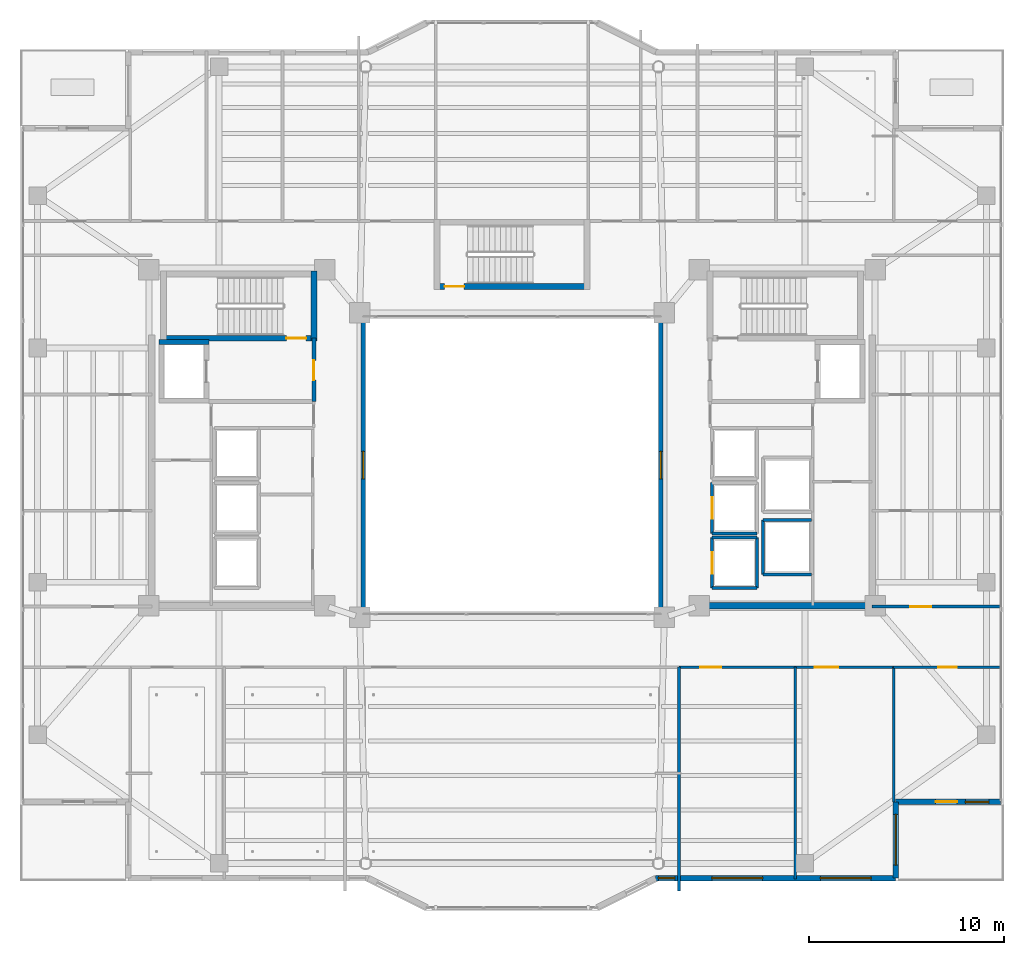
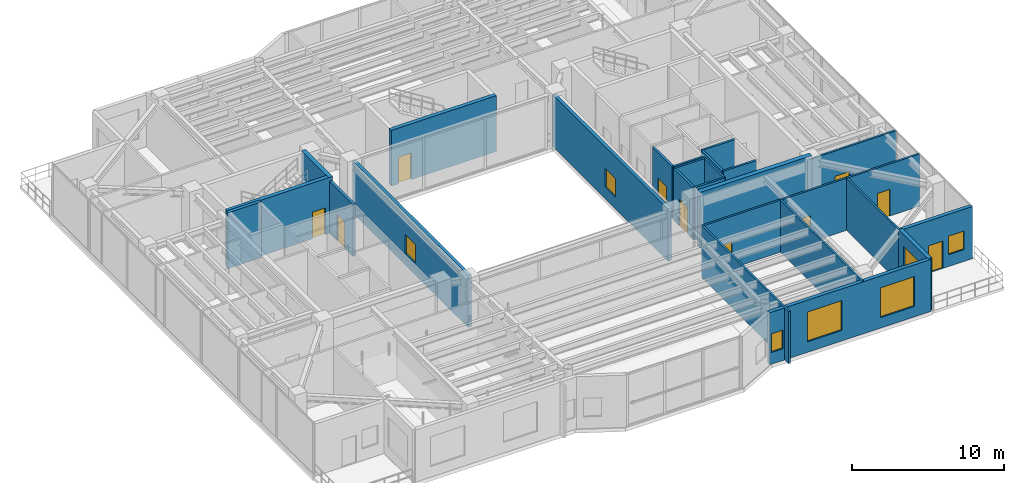
# One storey, part 24 of 33: 26 walls, 10 doors, 7 windows, 17 openings.
"""IFC4 building model written with IfcOpenShell, lengths in metres."""

from ifc_helpers import new_model, si_unit, direction, frame, frame_2d, origin, place, context, subcontext, project, spatial, rectangle, extrude, material, layer, layer_set, type_object, element, fill, save


model = new_model("IFC4")

# Units and contexts
model_context = context("Model", 3, precision=1e-05, world=origin(), true_north=direction((0.0, 1.0)))
body_context = subcontext(model_context, "Body", "Model", "MODEL_VIEW")
ifc_project = project(units=[si_unit("LENGTHUNIT", "METRE"), si_unit("AREAUNIT", "SQUARE_METRE"), si_unit("VOLUMEUNIT", "CUBIC_METRE"), si_unit("PLANEANGLEUNIT", "RADIAN"), si_unit("MASSUNIT", "GRAM", prefix="KILO")], contexts=[model_context])

# Site, building, storey
site_placement = place(None, origin())
site = spatial("IfcSite", under=ifc_project, at=site_placement, CompositionType="ELEMENT")
building_placement = place(site_placement, origin())
building = spatial("IfcBuilding", under=site, at=building_placement, Name="Tarnavaz Court Tower", CompositionType="ELEMENT")
storey_placement = place(building_placement, frame((0.0, 0.0, 172.800048828125)))
storey = spatial("IfcBuildingStorey", under=building, at=storey_placement, Name="L47", CompositionType="ELEMENT", Elevation=172.800048828125)

# Wall
ifc_material_1 = material(Name="Concrete C50/60", Category="concrete")
ifc_layer_1 = layer(ifc_material_1, 0.25)
ifc_layer_set_1 = layer_set([ifc_layer_1], Name="Concrete C50/60")
wall_type_1 = type_object("IfcWallType", Name="WL-CORE-250-C50", PredefinedType="SHEAR", material=ifc_layer_set_1)
wall_1_placement = place(storey_placement, frame((-18.074951171875, 6.300048828125, 0.0), z_axis=(0.0, 0.0, 1.0), x_axis=(1.0, 0.0, 0.0)))
element("IfcWall", 1, at=wall_1_placement, inside=storey, type_object=wall_type_1, Name="L47 Lift FL-W1 Shaft Wall 020", PredefinedType="SHEAR", context=body_context, shape_type="SweptSolid", body=[
    extrude(rectangle(XDim=2.550048828125, YDim=0.25, at=frame_2d((1.27490234375, 0.0))), origin(), (0.0, 0.0, 1.0), 4.5),
])

# Wall, opening, door
ifc_layer_2 = layer(ifc_material_1, 0.300048828125)
ifc_layer_set_2 = layer_set([ifc_layer_2], Name="Concrete C50/60")
wall_type_2 = type_object("IfcWallType", Name="WL-CORE-300-C50", PredefinedType="SHEAR", material=ifc_layer_set_2)
wall_2_placement = place(storey_placement, frame((-18.0, 6.5, 0.0), z_axis=(0.0, 0.0, 1.0), x_axis=(1.0, 0.0, 0.0)))
wall_2 = element("IfcWall", 2, at=wall_2_placement, inside=storey, type_object=wall_type_2, Name="L47 West Stair Core Wall 002", PredefinedType="SHEAR", context=body_context, shape_type="SweptSolid", body=[
    extrude(rectangle(XDim=8.0, YDim=0.300048828125, at=frame_2d((4.0, 0.0))), origin(), (0.0, 0.0, 1.0), 4.5),
])
opening_1_placement = place(wall_2_placement, frame((6.449951171875, 0.0, 0.0)))
opening_1 = element("IfcOpeningElement", 3, at=opening_1_placement, cuts=wall_2, Name="Opening D01", PredefinedType="OPENING", context=body_context, shape_type="SweptSolid", body=[
    extrude(rectangle(XDim=1.0, YDim=2.14990234375, at=frame_2d((0.5, 1.074951171875))), frame((0.0, 0.159912109375, 0.0), z_axis=(0.0, -1.0, 0.0), x_axis=(1.0, 0.0, 0.0)), (0.0, 0.0, 1.0), 0.320068359375),
])
ifc_material_2 = material(Name="Fire-Rated Hardwood Timber Core", Category="wood")
door_type_1 = type_object("IfcDoorType", Name="DR-FD90-1000", OperationType="NOTDEFINED", PredefinedType="DOOR", material=ifc_material_2)
door_1_placement = place(opening_1_placement, origin())
door_1 = element("IfcDoor", 4, at=door_1_placement, inside=storey, type_object=door_type_1, Name="L47 Stair ST-W1 Exit Door", OperationType="SINGLE_SWING_LEFT", OverallHeight=2.14990234375, OverallWidth=1.0, PredefinedType="DOOR", context=body_context, shape_type="SweptSolid", body=[
    extrude(rectangle(XDim=1.0, YDim=2.14990234375, at=frame_2d((0.5, 1.074951171875))), frame((0.0, 0.02490234375, 0.0), z_axis=(0.0, -1.0, 0.0), x_axis=(1.0, 0.0, 0.0)), (0.0, 0.0, 1.0), 0.050048828125),
])
fill(opening_1, door_1)

# Wall
wall_3_placement = place(storey_placement, frame((-10.14990234375, 6.35009765625, 0.0), z_axis=(0.0, 0.0, 1.0), x_axis=(0.0, 1.0, 0.0)))
element("IfcWall", 5, at=wall_3_placement, inside=storey, type_object=wall_type_2, Name="L47 West Stair Core Wall 004", PredefinedType="SHEAR", context=body_context, shape_type="SweptSolid", body=[
    extrude(rectangle(XDim=3.58984375, YDim=0.300048828125, at=frame_2d((1.794921875, 0.0))), origin(), (0.0, 0.0, 1.0), 4.5),
])

# Wall, opening, door
wall_4_placement = place(storey_placement, frame((-4.0, 9.14990234375, 0.0), z_axis=(0.0, 0.0, 1.0), x_axis=(1.0, 0.0, 0.0)))
wall_4 = element("IfcWall", 6, at=wall_4_placement, inside=storey, type_object=wall_type_2, Name="L47 North Stair Core Wall 010", PredefinedType="SHEAR", context=body_context, shape_type="SweptSolid", body=[
    extrude(rectangle(XDim=8.0, YDim=0.300048828125, at=frame_2d((4.0, 0.0))), origin(), (0.0, 0.0, 1.0), 4.5),
])
opening_2_placement = place(wall_4_placement, frame((0.550048828125, 0.0, 0.0)))
opening_2 = element("IfcOpeningElement", 7, at=opening_2_placement, cuts=wall_4, Name="Opening D01", PredefinedType="OPENING", context=body_context, shape_type="SweptSolid", body=[
    extrude(rectangle(XDim=1.0, YDim=2.14990234375, at=frame_2d((0.5, 1.074951171875))), frame((0.0, 0.159912109375, 0.0), z_axis=(0.0, -1.0, 0.0), x_axis=(1.0, 0.0, 0.0)), (0.0, 0.0, 1.0), 0.320068359375),
])
door_2_placement = place(opening_2_placement, origin())
door_2 = element("IfcDoor", 8, at=door_2_placement, inside=storey, type_object=door_type_1, Name="L47 Stair ST-N1 Exit Door", OperationType="SINGLE_SWING_LEFT", OverallHeight=2.14990234375, OverallWidth=1.0, PredefinedType="DOOR", context=body_context, shape_type="SweptSolid", body=[
    extrude(rectangle(XDim=1.0, YDim=2.14990234375, at=frame_2d((0.5, 1.074951171875))), frame((0.0, 0.02490234375, 0.0), z_axis=(0.0, -1.0, 0.0), x_axis=(1.0, 0.0, 0.0)), (0.0, 0.0, 1.0), 0.050048828125),
])
fill(opening_2, door_2)

# Wall
ifc_layer_3 = layer(ifc_material_1, 0.35009765625)
ifc_layer_set_3 = layer_set([ifc_layer_3], Name="Concrete C50/60")
wall_type_3 = type_object("IfcWallType", Name="WL-CORE-350-C50", PredefinedType="SHEAR", material=ifc_layer_set_3)
wall_5_placement = place(storey_placement, frame((10.074951171875, -7.199951171875, 0.0), z_axis=(0.0, 0.0, 1.0), x_axis=(1.0, 0.0, 0.0)))
element("IfcWall", 9, at=wall_5_placement, inside=storey, type_object=wall_type_3, Name="L47 East Core South Shear Wall 060", PredefinedType="SHEAR", context=body_context, shape_type="SweptSolid", body=[
    extrude(rectangle(XDim=8.550048828125, YDim=0.35009765625, at=frame_2d((4.27490234375, 0.0))), origin(), (0.0, 0.0, 1.0), 4.5),
])

# Wall, openings, door, window
ifc_material_3 = material(Name="Precast Concrete C40/50", Category="concrete")
ifc_layer_4 = layer(ifc_material_3, 0.280029296875)
ifc_layer_set_4 = layer_set([ifc_layer_4], Name="Precast Concrete C40/50")
wall_type_4 = type_object("IfcWallType", Name="WL-EXT-280", PredefinedType="SOLIDWALL", material=ifc_layer_set_4)
wall_6_placement = place(storey_placement, frame((25.050048828125, -17.25, 0.0), z_axis=(0.0, 0.0, 1.0), x_axis=(-1.0, 0.0, 0.0)))
wall_6 = element("IfcWall", 10, at=wall_6_placement, inside=storey, type_object=wall_type_4, Name="L47 Exterior Terracotta Facade Wall 13", PredefinedType="SOLIDWALL", context=body_context, shape_type="SweptSolid", body=[
    extrude(rectangle(XDim=5.400146484375, YDim=0.280029296875, at=frame_2d((2.7001953125, 0.0))), origin(), (0.0, 0.0, 1.0), 4.199951171875),
])
opening_3_placement = place(wall_6_placement, frame((2.25, 0.0, 0.0)))
opening_3 = element("IfcOpeningElement", 11, at=opening_3_placement, cuts=wall_6, Name="Opening TD1", PredefinedType="OPENING", context=body_context, shape_type="SweptSolid", body=[
    extrude(rectangle(XDim=1.10009765625, YDim=2.199951171875, at=frame_2d((0.550048828125, 1.10009765625))), frame((0.0, 0.14990234375, 0.0), z_axis=(0.0, -1.0, 0.0), x_axis=(1.0, 0.0, 0.0)), (0.0, 0.0, 1.0), 0.300048828125),
])
opening_4_placement = place(wall_6_placement, frame((0.6298828125, 0.0, 0.949951171875)))
opening_4 = element("IfcOpeningElement", 12, at=opening_4_placement, cuts=wall_6, Name="Opening W05", PredefinedType="OPENING", context=body_context, shape_type="SweptSolid", body=[
    extrude(rectangle(XDim=1.199951171875, YDim=1.5, at=frame_2d((0.60009765625, 0.75))), frame((0.0, 0.14990234375, 0.0), z_axis=(0.0, -1.0, 0.0), x_axis=(1.0, 0.0, 0.0)), (0.0, 0.0, 1.0), 0.300048828125),
])
ifc_material_4 = material(Name="Thermally Broken Aluminium and Laminated Glass", Category="aluminium")
door_type_2 = type_object("IfcDoorType", Name="DR-TERR-1100", OperationType="NOTDEFINED", PredefinedType="DOOR", material=ifc_material_4)
door_3_placement = place(opening_3_placement, origin())
door_3 = element("IfcDoor", 13, at=door_3_placement, inside=storey, type_object=door_type_2, Name="L47 Sky Terrace Access Door 3", OperationType="SINGLE_SWING_LEFT", OverallHeight=2.199951171875, OverallWidth=1.10009765625, PredefinedType="DOOR", context=body_context, shape_type="SweptSolid", body=[
    extrude(rectangle(XDim=1.10009765625, YDim=2.199951171875, at=frame_2d((0.550048828125, 1.10009765625))), frame((0.0, 0.02490234375, 0.0), z_axis=(0.0, -1.0, 0.0), x_axis=(1.0, 0.0, 0.0)), (0.0, 0.0, 1.0), 0.050048828125),
])
fill(opening_3, door_3)
ifc_material_5 = material(Name="Double-Glazed Solar Low-E Glass", Category="glass")
window_type_1 = type_object("IfcWindowType", Name="WN-APT-1200", PartitioningType="SINGLE_PANEL", PredefinedType="WINDOW", material=ifc_material_5)
window_1_placement = place(opening_4_placement, origin())
window_1 = element("IfcWindow", 14, at=window_1_placement, inside=storey, type_object=window_type_1, Name="L47 L47 SE Terrace Salon Window", OverallHeight=1.5, OverallWidth=1.199951171875, PartitioningType="SINGLE_PANEL", PredefinedType="WINDOW", context=body_context, shape_type="SweptSolid", body=[
    extrude(rectangle(XDim=1.199951171875, YDim=1.5, at=frame_2d((0.60009765625, 0.75))), frame((0.0, 0.030029296875, 0.0), z_axis=(0.0, -1.0, 0.0), x_axis=(1.0, 0.0, 0.0)), (0.0, 0.0, 1.0), 0.06005859375),
])
fill(opening_4, window_1)

# Wall, opening, window
wall_7_placement = place(storey_placement, frame((19.64990234375, -17.25, 0.0), z_axis=(0.0, 0.0, 1.0), x_axis=(0.0, -1.0, 0.0)))
wall_7 = element("IfcWall", 15, at=wall_7_placement, inside=storey, type_object=wall_type_4, Name="L47 Exterior Terracotta Facade Wall 14", PredefinedType="SOLIDWALL", context=body_context, shape_type="SweptSolid", body=[
    extrude(rectangle(XDim=3.89990234375, YDim=0.280029296875, at=frame_2d((1.949951171875, 0.0))), origin(), (0.0, 0.0, 1.0), 4.199951171875),
])
opening_5_placement = place(wall_7_placement, frame((0.632080078125, 0.0, 0.85009765625)))
opening_5 = element("IfcOpeningElement", 16, at=opening_5_placement, cuts=wall_7, Name="Opening W11", PredefinedType="OPENING", context=body_context, shape_type="SweptSolid", body=[
    extrude(rectangle(XDim=2.60009765625, YDim=2.39990234375, at=frame_2d((1.300048828125, 1.199951171875))), frame((0.0, 0.14990234375, 0.0), z_axis=(0.0, -1.0, 0.0), x_axis=(1.0, 0.0, 0.0)), (0.0, 0.0, 1.0), 0.300048828125),
])
window_type_2 = type_object("IfcWindowType", Name="WN-COM-2600", PartitioningType="TRIPLE_PANEL_VERTICAL", PredefinedType="WINDOW", material=ifc_material_5)
window_2_placement = place(opening_5_placement, origin())
window_2 = element("IfcWindow", 17, at=window_2_placement, inside=storey, type_object=window_type_2, Name="L47 L47 Communal Dining Hall Window", OverallHeight=2.39990234375, OverallWidth=2.60009765625, PartitioningType="SINGLE_PANEL", PredefinedType="WINDOW", context=body_context, shape_type="SweptSolid", body=[
    extrude(rectangle(XDim=2.60009765625, YDim=2.39990234375, at=frame_2d((1.300048828125, 1.199951171875))), frame((0.0, 0.030029296875, 0.0), z_axis=(0.0, -1.0, 0.0), x_axis=(1.0, 0.0, 0.0)), (0.0, 0.0, 1.0), 0.06005859375),
])
fill(opening_5, window_2)

# Wall, openings, windows
wall_8_placement = place(storey_placement, frame((19.64990234375, -21.14990234375, 0.0), z_axis=(0.0, 0.0, 1.0), x_axis=(-1.0, 0.0, 0.0)))
wall_8 = element("IfcWall", 18, at=wall_8_placement, inside=storey, type_object=wall_type_4, Name="L47 Exterior Terracotta Facade Wall 15", PredefinedType="SOLIDWALL", context=body_context, shape_type="SweptSolid", body=[
    extrude(rectangle(XDim=12.2998046875, YDim=0.280029296875, at=frame_2d((6.14990234375, 0.0))), origin(), (0.0, 0.0, 1.0), 4.199951171875),
])
opening_6_placement = place(wall_8_placement, frame((1.260498046875, 0.0, 0.85009765625)))
opening_6 = element("IfcOpeningElement", 19, at=opening_6_placement, cuts=wall_8, Name="Opening W11", PredefinedType="OPENING", context=body_context, shape_type="SweptSolid", body=[
    extrude(rectangle(XDim=2.60009765625, YDim=2.39990234375, at=frame_2d((1.300048828125, 1.199951171875))), frame((0.0, 0.14990234375, 0.0), z_axis=(0.0, -1.0, 0.0), x_axis=(1.0, 0.0, 0.0)), (0.0, 0.0, 1.0), 0.300048828125),
])
opening_7_placement = place(wall_8_placement, frame((6.80810546875, 0.0, 0.85009765625)))
opening_7 = element("IfcOpeningElement", 20, at=opening_7_placement, cuts=wall_8, Name="Opening W11", PredefinedType="OPENING", context=body_context, shape_type="SweptSolid", body=[
    extrude(rectangle(XDim=2.60009765625, YDim=2.39990234375, at=frame_2d((1.300048828125, 1.199951171875))), frame((0.0, 0.14990234375, 0.0), z_axis=(0.0, -1.0, 0.0), x_axis=(1.0, 0.0, 0.0)), (0.0, 0.0, 1.0), 0.300048828125),
])
opening_8_placement = place(wall_8_placement, frame((11.302978515625, 0.0, 0.949951171875)))
opening_8 = element("IfcOpeningElement", 21, at=opening_8_placement, cuts=wall_8, Name="Opening W15", PredefinedType="OPENING", context=body_context, shape_type="SweptSolid", body=[
    extrude(rectangle(XDim=0.85009765625, YDim=1.5, at=frame_2d((0.425048828125, 0.75))), frame((0.0, 0.14990234375, 0.0), z_axis=(0.0, -1.0, 0.0), x_axis=(1.0, 0.0, 0.0)), (0.0, 0.0, 1.0), 0.300048828125),
])
window_type_3 = type_object("IfcWindowType", Name="WN-APT-850", PartitioningType="SINGLE_PANEL", PredefinedType="WINDOW", material=ifc_material_5)
window_3_placement = place(opening_8_placement, origin())
window_3 = element("IfcWindow", 22, at=window_3_placement, inside=storey, type_object=window_type_3, Name="L47 L47 Central Iwan Cultural Exhibition Hall Window", OverallHeight=1.5, OverallWidth=0.85009765625, PartitioningType="SINGLE_PANEL", PredefinedType="WINDOW", context=body_context, shape_type="SweptSolid", body=[
    extrude(rectangle(XDim=0.85009765625, YDim=1.5, at=frame_2d((0.425048828125, 0.75))), frame((0.0, 0.030029296875, 0.0), z_axis=(0.0, -1.0, 0.0), x_axis=(1.0, 0.0, 0.0)), (0.0, 0.0, 1.0), 0.06005859375),
])
fill(opening_8, window_3)
window_4_placement = place(opening_6_placement, origin())
window_4 = element("IfcWindow", 23, at=window_4_placement, inside=storey, type_object=window_type_2, Name="L47 L47 Communal Dining Hall Window", OverallHeight=2.39990234375, OverallWidth=2.60009765625, PartitioningType="SINGLE_PANEL", PredefinedType="WINDOW", context=body_context, shape_type="SweptSolid", body=[
    extrude(rectangle(XDim=2.60009765625, YDim=2.39990234375, at=frame_2d((1.300048828125, 1.199951171875))), frame((0.0, 0.030029296875, 0.0), z_axis=(0.0, -1.0, 0.0), x_axis=(1.0, 0.0, 0.0)), (0.0, 0.0, 1.0), 0.06005859375),
])
fill(opening_6, window_4)
window_5_placement = place(opening_7_placement, origin())
window_5 = element("IfcWindow", 24, at=window_5_placement, inside=storey, type_object=window_type_2, Name="L47 L47 Residents Counseling Office Window", OverallHeight=2.39990234375, OverallWidth=2.60009765625, PartitioningType="SINGLE_PANEL", PredefinedType="WINDOW", context=body_context, shape_type="SweptSolid", body=[
    extrude(rectangle(XDim=2.60009765625, YDim=2.39990234375, at=frame_2d((1.300048828125, 1.199951171875))), frame((0.0, 0.030029296875, 0.0), z_axis=(0.0, -1.0, 0.0), x_axis=(1.0, 0.0, 0.0)), (0.0, 0.0, 1.0), 0.06005859375),
])
fill(opening_7, window_5)

# Wall, openings, doors
ifc_material_6 = material(Name="Gypsum Fire-Board on Acoustic Metal Stud", Category="masonry")
ifc_layer_5 = layer(ifc_material_6, 0.14990234375)
ifc_layer_set_5 = layer_set([ifc_layer_5], Name="Gypsum Fire-Board on Acoustic Metal Stud")
wall_type_5 = type_object("IfcWallType", Name="WL-FIRE-150", PredefinedType="PARTITIONING", material=ifc_layer_set_5)
wall_9_placement = place(storey_placement, frame((8.550048828125, -10.35009765625, 0.0), z_axis=(0.0, 0.0, 1.0), x_axis=(1.0, 0.0, 0.0)))
wall_9 = element("IfcWall", 25, at=wall_9_placement, inside=storey, type_object=wall_type_5, Name="L47 SE Horseshoe Wall 074", PredefinedType="PARTITIONING", context=body_context, shape_type="SweptSolid", body=[
    extrude(rectangle(XDim=11.0, YDim=0.14990234375, at=frame_2d((5.5, 0.0))), origin(), (0.0, 0.0, 1.0), 4.199951171875),
])
opening_9_placement = place(wall_9_placement, frame((1.10009765625, 0.0, 0.0)))
opening_9 = element("IfcOpeningElement", 26, at=opening_9_placement, cuts=wall_9, Name="Opening D12", PredefinedType="OPENING", context=body_context, shape_type="SweptSolid", body=[
    extrude(rectangle(XDim=1.080078125, YDim=2.14990234375, at=frame_2d((0.5400390625, 1.074951171875))), frame((0.0, 0.0849609375, 0.0), z_axis=(0.0, -1.0, 0.0), x_axis=(1.0, 0.0, 0.0)), (0.0, 0.0, 1.0), 0.169921875),
])
opening_10_placement = place(wall_9_placement, frame((6.962890625, 0.0, 0.0)))
opening_10 = element("IfcOpeningElement", 27, at=opening_10_placement, cuts=wall_9, Name="Opening D11", PredefinedType="OPENING", context=body_context, shape_type="SweptSolid", body=[
    extrude(rectangle(XDim=1.199951171875, YDim=2.14990234375, at=frame_2d((0.60009765625, 1.074951171875))), frame((0.0, 0.0849609375, 0.0), z_axis=(0.0, -1.0, 0.0), x_axis=(1.0, 0.0, 0.0)), (0.0, 0.0, 1.0), 0.169921875),
])
ifc_material_7 = material(Name="Engineered Oak Timber", Category="wood")
door_type_3 = type_object("IfcDoorType", Name="DR-INT-1100", OperationType="NOTDEFINED", PredefinedType="DOOR", material=ifc_material_7)
door_4_placement = place(opening_9_placement, origin())
door_4 = element("IfcDoor", 28, at=door_4_placement, inside=storey, type_object=door_type_3, Name="L47 Counseling Office Door", OperationType="SINGLE_SWING_RIGHT", OverallHeight=2.14990234375, OverallWidth=1.080078125, PredefinedType="DOOR", context=body_context, shape_type="SweptSolid", body=[
    extrude(rectangle(XDim=1.080078125, YDim=2.14990234375, at=frame_2d((0.5400390625, 1.074951171875))), frame((0.0, 0.02490234375, 0.0), z_axis=(0.0, -1.0, 0.0), x_axis=(1.0, 0.0, 0.0)), (0.0, 0.0, 1.0), 0.050048828125),
])
fill(opening_9, door_4)
door_type_4 = type_object("IfcDoorType", Name="DR-INT-1200", OperationType="NOTDEFINED", PredefinedType="DOOR", material=ifc_material_7)
door_5_placement = place(opening_10_placement, origin())
door_5 = element("IfcDoor", 29, at=door_5_placement, inside=storey, type_object=door_type_4, Name="L47 L47 Communal Dining Hall Door", OperationType="SINGLE_SWING_LEFT", OverallHeight=2.14990234375, OverallWidth=1.199951171875, PredefinedType="DOOR", context=body_context, shape_type="SweptSolid", body=[
    extrude(rectangle(XDim=1.199951171875, YDim=2.14990234375, at=frame_2d((0.60009765625, 1.074951171875))), frame((0.0, 0.02490234375, 0.0), z_axis=(0.0, -1.0, 0.0), x_axis=(1.0, 0.0, 0.0)), (0.0, 0.0, 1.0), 0.050048828125),
])
fill(opening_10, door_5)

# Wall, opening, door
wall_10_placement = place(storey_placement, frame((18.449951171875, -7.25, 0.0), z_axis=(0.0, 0.0, 1.0), x_axis=(1.0, 0.0, 0.0)))
wall_10 = element("IfcWall", 30, at=wall_10_placement, inside=storey, type_object=wall_type_5, Name="L47 Interior Partition 089", PredefinedType="PARTITIONING", context=body_context, shape_type="SweptSolid", body=[
    extrude(rectangle(XDim=6.630126953125, YDim=0.14990234375, at=frame_2d((3.31494140625, 0.0))), origin(), (0.0, 0.0, 1.0), 4.199951171875),
])
opening_11_placement = place(wall_10_placement, frame((1.949951171875, 0.0, 0.0)))
opening_11 = element("IfcOpeningElement", 31, at=opening_11_placement, cuts=wall_10, Name="Opening D12", PredefinedType="OPENING", context=body_context, shape_type="SweptSolid", body=[
    extrude(rectangle(XDim=1.080078125, YDim=2.14990234375, at=frame_2d((0.5400390625, 1.074951171875))), frame((0.0, 0.0849609375, 0.0), z_axis=(0.0, -1.0, 0.0), x_axis=(1.0, 0.0, 0.0)), (0.0, 0.0, 1.0), 0.169921875),
])
door_6_placement = place(opening_11_placement, origin())
door_6 = element("IfcDoor", 32, at=door_6_placement, inside=storey, type_object=door_type_3, Name="L47 East Suite Room 1 Door", OperationType="SINGLE_SWING_LEFT", OverallHeight=2.14990234375, OverallWidth=1.080078125, PredefinedType="DOOR", context=body_context, shape_type="SweptSolid", body=[
    extrude(rectangle(XDim=1.080078125, YDim=2.14990234375, at=frame_2d((0.5400390625, 1.074951171875))), frame((0.0, 0.02490234375, 0.0), z_axis=(0.0, -1.0, 0.0), x_axis=(1.0, 0.0, 0.0)), (0.0, 0.0, 1.0), 0.050048828125),
])
fill(opening_11, door_6)

wall_11_placement = place(storey_placement, frame((19.550048828125, -10.35009765625, 0.0), z_axis=(0.0, 0.0, 1.0), x_axis=(1.0, 0.0, 0.0)))
wall_11 = element("IfcWall", 33, at=wall_11_placement, inside=storey, type_object=wall_type_5, Name="L47 Interior Partition 099", PredefinedType="PARTITIONING", context=body_context, shape_type="SweptSolid", body=[
    extrude(rectangle(XDim=5.530029296875, YDim=0.14990234375, at=frame_2d((2.76513671875, 0.0))), origin(), (0.0, 0.0, 1.0), 4.199951171875),
])
opening_12_placement = place(wall_11_placement, frame((2.2900390625, 0.0, 0.0)))
opening_12 = element("IfcOpeningElement", 34, at=opening_12_placement, cuts=wall_11, Name="Opening D13", PredefinedType="OPENING", context=body_context, shape_type="SweptSolid", body=[
    extrude(rectangle(XDim=0.949951171875, YDim=2.14990234375, at=frame_2d((0.47509765625, 1.074951171875))), frame((0.0, 0.0849609375, 0.0), z_axis=(0.0, -1.0, 0.0), x_axis=(1.0, 0.0, 0.0)), (0.0, 0.0, 1.0), 0.169921875),
])
door_type_5 = type_object("IfcDoorType", Name="DR-INT-950", OperationType="NOTDEFINED", PredefinedType="DOOR", material=ifc_material_7)
door_7_placement = place(opening_12_placement, origin())
door_7 = element("IfcDoor", 35, at=door_7_placement, inside=storey, type_object=door_type_5, Name="L47 SE Terrace Salon Door", OperationType="SINGLE_SWING_LEFT", OverallHeight=2.14990234375, OverallWidth=0.949951171875, PredefinedType="DOOR", context=body_context, shape_type="SweptSolid", body=[
    extrude(rectangle(XDim=0.949951171875, YDim=2.14990234375, at=frame_2d((0.47509765625, 1.074951171875))), frame((0.0, 0.02490234375, 0.0), z_axis=(0.0, -1.0, 0.0), x_axis=(1.0, 0.0, 0.0)), (0.0, 0.0, 1.0), 0.050048828125),
])
fill(opening_12, door_7)

ifc_material_8 = material(Name="Autoclaved Aerated Concrete Blockwork", Category="masonry")
ifc_layer_6 = layer(ifc_material_8, 0.199951171875)
ifc_layer_set_6 = layer_set([ifc_layer_6], Name="Autoclaved Aerated Concrete Blockwork")
wall_type_6 = type_object("IfcWallType", Name="WL-FIRE-200", PredefinedType="SOLIDWALL", material=ifc_layer_set_6)
wall_12_placement = place(storey_placement, frame((-10.14990234375, 3.25, 0.0), z_axis=(0.0, 0.0, 1.0), x_axis=(0.0, 1.0, 0.0)))
wall_12 = element("IfcWall", 36, at=wall_12_placement, inside=storey, type_object=wall_type_6, Name="L47 West Firefighting Lobby Wall 014", PredefinedType="SOLIDWALL", context=body_context, shape_type="SweptSolid", body=[
    extrude(rectangle(XDim=3.25, YDim=0.199951171875, at=frame_2d((1.625, 0.0))), origin(), (0.0, 0.0, 1.0), 4.199951171875),
])
opening_13_placement = place(wall_12_placement, frame((1.10009765625, 0.0, 0.0)))
opening_13 = element("IfcOpeningElement", 37, at=opening_13_placement, cuts=wall_12, Name="Opening D05", PredefinedType="OPENING", context=body_context, shape_type="SweptSolid", body=[
    extrude(rectangle(XDim=1.02001953125, YDim=2.14990234375, at=frame_2d((0.510009765625, 1.074951171875))), frame((0.0, 0.10986328125, 0.0), z_axis=(0.0, -1.0, 0.0), x_axis=(1.0, 0.0, 0.0)), (0.0, 0.0, 1.0), 0.219970703125),
])
door_type_6 = type_object("IfcDoorType", Name="DR-FD60-1000", OperationType="NOTDEFINED", PredefinedType="DOOR", material=ifc_material_2)
door_8_placement = place(opening_13_placement, origin())
door_8 = element("IfcDoor", 38, at=door_8_placement, inside=storey, type_object=door_type_6, Name="L47 West Firefighting Lobby Door", OperationType="SINGLE_SWING_RIGHT", OverallHeight=2.14990234375, OverallWidth=1.02001953125, PredefinedType="DOOR", context=body_context, shape_type="SweptSolid", body=[
    extrude(rectangle(XDim=1.02001953125, YDim=2.14990234375, at=frame_2d((0.510009765625, 1.074951171875))), frame((0.0, 0.02490234375, 0.0), z_axis=(0.0, -1.0, 0.0), x_axis=(1.0, 0.0, 0.0)), (0.0, 0.0, 1.0), 0.050048828125),
])
fill(opening_13, door_8)

# Walls
ifc_material_9 = material(Name="Gypsum Plasterboard Acoustic Partition", Category="masonry")
ifc_layer_7 = layer(ifc_material_9, 0.139892578125)
ifc_layer_set_7 = layer_set([ifc_layer_7], Name="Gypsum Plasterboard Acoustic Partition")
wall_type_7 = type_object("IfcWallType", Name="WL-PART-150", PredefinedType="PARTITIONING", material=ifc_layer_set_7)
wall_13_placement = place(storey_placement, frame((8.550048828125, -21.803955078125, 0.0), z_axis=(0.0, 0.0, 1.0), x_axis=(0.0, 1.0, 0.0)))
element("IfcWall", 39, at=wall_13_placement, inside=storey, type_object=wall_type_7, Name="L47 Interior Partition 085", PredefinedType="PARTITIONING", context=body_context, shape_type="SweptSolid", body=[
    extrude(rectangle(XDim=11.453857421875, YDim=0.139892578125, at=frame_2d((5.72705078125, 0.0))), origin(), (0.0, 0.0, 1.0), 4.199951171875),
])
wall_14_placement = place(storey_placement, frame((14.512939453125, -21.199951171875, 0.0), z_axis=(0.0, 0.0, 1.0), x_axis=(0.0, 1.0, 0.0)))
element("IfcWall", 40, at=wall_14_placement, inside=storey, type_object=wall_type_7, Name="L47 Interior Partition 086", PredefinedType="PARTITIONING", context=body_context, shape_type="SweptSolid", body=[
    extrude(rectangle(XDim=10.849853515625, YDim=0.139892578125, at=frame_2d((5.4248046875, 0.0))), origin(), (0.0, 0.0, 1.0), 4.199951171875),
])
wall_15_placement = place(storey_placement, frame((19.550048828125, -17.25, 0.0), z_axis=(0.0, 0.0, 1.0), x_axis=(0.0, 1.0, 0.0)))
element("IfcWall", 41, at=wall_15_placement, inside=storey, type_object=wall_type_7, Name="L47 Interior Partition 093", PredefinedType="PARTITIONING", context=body_context, shape_type="SweptSolid", body=[
    extrude(rectangle(XDim=6.89990234375, YDim=0.139892578125, at=frame_2d((3.449951171875, 0.0))), origin(), (0.0, 0.0, 1.0), 4.199951171875),
])

# Wall, opening, door
ifc_layer_8 = layer(ifc_material_8, 0.159912109375)
ifc_layer_set_8 = layer_set([ifc_layer_8], Name="Autoclaved Aerated Concrete Blockwork")
wall_type_8 = type_object("IfcWallType", Name="WL-SHAFT-150", PredefinedType="SOLIDWALL", material=ifc_layer_set_8)
wall_16_placement = place(storey_placement, frame((10.25, -6.300048828125, 0.0), z_axis=(0.0, 0.0, 1.0), x_axis=(0.0, 1.0, 0.0)))
wall_16 = element("IfcWall", 42, at=wall_16_placement, inside=storey, type_object=wall_type_8, Name="L47 Lift PL-M1 Shaft Wall 037", PredefinedType="SOLIDWALL", context=body_context, shape_type="SweptSolid", body=[
    extrude(rectangle(XDim=2.60009765625, YDim=0.159912109375, at=frame_2d((1.300048828125, 0.0))), origin(), (0.0, 0.0, 1.0), 4.199951171875),
])
opening_14_placement = place(wall_16_placement, frame((0.75, 0.0, 0.0)))
opening_14 = element("IfcOpeningElement", 43, at=opening_14_placement, cuts=wall_16, Name="Opening LD1", PredefinedType="OPENING", context=body_context, shape_type="SweptSolid", body=[
    extrude(rectangle(XDim=1.10009765625, YDim=2.14990234375, at=frame_2d((0.550048828125, 1.074951171875))), frame((0.0, 0.08984375, 0.0), z_axis=(0.0, -1.0, 0.0), x_axis=(1.0, 0.0, 0.0)), (0.0, 0.0, 1.0), 0.179931640625),
])
ifc_material_10 = material(Name="Stainless Steel", Category="steel")
door_type_7 = type_object("IfcDoorType", Name="DR-LD-1100", OperationType="NOTDEFINED", PredefinedType="DOOR", material=ifc_material_10)
door_9_placement = place(opening_14_placement, origin())
door_9 = element("IfcDoor", 44, at=door_9_placement, inside=storey, type_object=door_type_7, Name="L47 Lift Landing Door LD-PL-M1", OperationType="SLIDING_TO_LEFT", OverallHeight=2.14990234375, OverallWidth=1.10009765625, PredefinedType="DOOR", context=body_context, shape_type="SweptSolid", body=[
    extrude(rectangle(XDim=1.10009765625, YDim=2.14990234375, at=frame_2d((0.550048828125, 1.074951171875))), frame((0.0, 0.02490234375, 0.0), z_axis=(0.0, -1.0, 0.0), x_axis=(1.0, 0.0, 0.0)), (0.0, 0.0, 1.0), 0.050048828125),
])
fill(opening_14, door_9)

# Walls
wall_17_placement = place(storey_placement, frame((12.550048828125, -6.300048828125, 0.0), z_axis=(0.0, 0.0, 1.0), x_axis=(0.0, 1.0, 0.0)))
element("IfcWall", 45, at=wall_17_placement, inside=storey, type_object=wall_type_8, Name="L47 Lift PL-M1 Shaft Wall 038", PredefinedType="SOLIDWALL", context=body_context, shape_type="SweptSolid", body=[
    extrude(rectangle(XDim=2.60009765625, YDim=0.159912109375, at=frame_2d((1.300048828125, 0.0))), origin(), (0.0, 0.0, 1.0), 4.199951171875),
])
for number, where, z_axis, x_axis, name in (
    (46, (10.25, -6.300048828125, 0.0), (0.0, 0.0, 1.0), (1.0, 0.0, 0.0), "L47 Lift PL-M1 Shaft Wall 039"),
    (47, (10.25, -3.699951171875, 0.0), (0.0, 0.0, 1.0), (1.0, 0.0, 0.0), "L47 Lift PL-M1 Shaft Wall 040"),
):
    element("IfcWall", number, at=place(storey_placement, frame(where, z_axis=z_axis, x_axis=x_axis)), inside=storey, type_object=wall_type_8, Name=name, PredefinedType="SOLIDWALL", context=body_context, shape_type="SweptSolid", body=[
        extrude(rectangle(XDim=2.300048828125, YDim=0.159912109375, at=frame_2d((1.14990234375, 0.0))), origin(), (0.0, 0.0, 1.0), 4.199951171875),
    ])

# Wall, opening, door
wall_18_placement = place(storey_placement, frame((10.25, -3.5, 0.0), z_axis=(0.0, 0.0, 1.0), x_axis=(0.0, 1.0, 0.0)))
wall_18 = element("IfcWall", 48, at=wall_18_placement, inside=storey, type_object=wall_type_8, Name="L47 Lift PL-M2 Shaft Wall 041", PredefinedType="SOLIDWALL", context=body_context, shape_type="SweptSolid", body=[
    extrude(rectangle(XDim=2.60009765625, YDim=0.159912109375, at=frame_2d((1.300048828125, 0.0))), origin(), (0.0, 0.0, 1.0), 4.199951171875),
])
opening_15_placement = place(wall_18_placement, frame((0.75, 0.0, 0.0)))
opening_15 = element("IfcOpeningElement", 49, at=opening_15_placement, cuts=wall_18, Name="Opening LD1", PredefinedType="OPENING", context=body_context, shape_type="SweptSolid", body=[
    extrude(rectangle(XDim=1.10009765625, YDim=2.14990234375, at=frame_2d((0.550048828125, 1.074951171875))), frame((0.0, 0.08984375, 0.0), z_axis=(0.0, -1.0, 0.0), x_axis=(1.0, 0.0, 0.0)), (0.0, 0.0, 1.0), 0.179931640625),
])
door_10_placement = place(opening_15_placement, origin())
door_10 = element("IfcDoor", 50, at=door_10_placement, inside=storey, type_object=door_type_7, Name="L47 Lift Landing Door LD-PL-M2", OperationType="SLIDING_TO_LEFT", OverallHeight=2.14990234375, OverallWidth=1.10009765625, PredefinedType="DOOR", context=body_context, shape_type="SweptSolid", body=[
    extrude(rectangle(XDim=1.10009765625, YDim=2.14990234375, at=frame_2d((0.550048828125, 1.074951171875))), frame((0.0, 0.02490234375, 0.0), z_axis=(0.0, -1.0, 0.0), x_axis=(1.0, 0.0, 0.0)), (0.0, 0.0, 1.0), 0.050048828125),
])
fill(opening_15, door_10)

# Walls
wall_19_placement = place(storey_placement, frame((10.25, -3.5, 0.0), z_axis=(0.0, 0.0, 1.0), x_axis=(1.0, 0.0, 0.0)))
element("IfcWall", 51, at=wall_19_placement, inside=storey, type_object=wall_type_8, Name="L47 Lift PL-M2 Shaft Wall 043", PredefinedType="SOLIDWALL", context=body_context, shape_type="SweptSolid", body=[
    extrude(rectangle(XDim=2.300048828125, YDim=0.159912109375, at=frame_2d((1.14990234375, 0.0))), origin(), (0.0, 0.0, 1.0), 4.199951171875),
])
wall_20_placement = place(storey_placement, frame((12.85009765625, -5.60009765625, 0.0), z_axis=(0.0, 0.0, 1.0), x_axis=(0.0, 1.0, 0.0)))
element("IfcWall", 52, at=wall_20_placement, inside=storey, type_object=wall_type_8, Name="L47 Lift PL-OB1 Shaft Wall 049", PredefinedType="SOLIDWALL", context=body_context, shape_type="SweptSolid", body=[
    extrude(rectangle(XDim=2.800048828125, YDim=0.159912109375, at=frame_2d((1.39990234375, 0.0))), origin(), (0.0, 0.0, 1.0), 4.199951171875),
])
for number, where, z_axis, x_axis, name in (
    (53, (12.85009765625, -5.60009765625, 0.0), (0.0, 0.0, 1.0), (1.0, 0.0, 0.0), "L47 Lift PL-OB1 Shaft Wall 051"),
    (54, (12.85009765625, -2.800048828125, 0.0), (0.0, 0.0, 1.0), (1.0, 0.0, 0.0), "L47 Lift PL-OB1 Shaft Wall 052"),
):
    element("IfcWall", number, at=place(storey_placement, frame(where, z_axis=z_axis, x_axis=x_axis)), inside=storey, type_object=wall_type_8, Name=name, PredefinedType="SOLIDWALL", context=body_context, shape_type="SweptSolid", body=[
        extrude(rectangle(XDim=2.5, YDim=0.159912109375, at=frame_2d((1.25, 0.0))), origin(), (0.0, 0.0, 1.0), 4.199951171875),
    ])

# Wall, opening, window
ifc_layer_9 = layer(ifc_material_3, 0.239990234375)
ifc_layer_set_9 = layer_set([ifc_layer_9], Name="Precast Concrete C40/50")
wall_type_9 = type_object("IfcWallType", Name="WL-WELL-240", PredefinedType="SOLIDWALL", material=ifc_layer_set_9)
wall_21_placement = place(storey_placement, frame((7.6201171875, -7.6201171875, 0.0), z_axis=(0.0, 0.0, 1.0), x_axis=(0.0, 1.0, 0.0)))
wall_21 = element("IfcWall", 55, at=wall_21_placement, inside=storey, type_object=wall_type_9, Name="L47 Badgir Light-Well Exterior Wall E", PredefinedType="SOLIDWALL", context=body_context, shape_type="SweptSolid", body=[
    extrude(rectangle(XDim=15.240234375, YDim=0.239990234375, at=frame_2d((7.6201171875, 0.0))), origin(), (0.0, 0.0, 1.0), 4.199951171875),
])
opening_16_placement = place(wall_21_placement, frame((6.919921875, 0.0, 0.949951171875)))
opening_16 = element("IfcOpeningElement", 56, at=opening_16_placement, cuts=wall_21, Name="Opening W13", PredefinedType="OPENING", context=body_context, shape_type="SweptSolid", body=[
    extrude(rectangle(XDim=1.39990234375, YDim=1.5, at=frame_2d((0.699951171875, 0.75))), frame((0.0, 0.1298828125, 0.0), z_axis=(0.0, -1.0, 0.0), x_axis=(1.0, 0.0, 0.0)), (0.0, 0.0, 1.0), 0.260009765625),
])
window_type_4 = type_object("IfcWindowType", Name="WN-WEL-1400", PartitioningType="SINGLE_PANEL", PredefinedType="WINDOW", material=ifc_material_5)
window_6_placement = place(opening_16_placement, origin())
window_6 = element("IfcWindow", 57, at=window_6_placement, inside=storey, type_object=window_type_4, Name="L47 Courtyard Gallery Window E", OverallHeight=1.5, OverallWidth=1.39990234375, PartitioningType="SINGLE_PANEL", PredefinedType="WINDOW", context=body_context, shape_type="SweptSolid", body=[
    extrude(rectangle(XDim=1.39990234375, YDim=1.5, at=frame_2d((0.699951171875, 0.75))), frame((0.0, 0.030029296875, 0.0), z_axis=(0.0, -1.0, 0.0), x_axis=(1.0, 0.0, 0.0)), (0.0, 0.0, 1.0), 0.06005859375),
])
fill(opening_16, window_6)

wall_22_placement = place(storey_placement, frame((-7.6201171875, 7.6201171875, 0.0), z_axis=(0.0, 0.0, 1.0), x_axis=(0.0, -1.0, 0.0)))
wall_22 = element("IfcWall", 58, at=wall_22_placement, inside=storey, type_object=wall_type_9, Name="L47 Badgir Light-Well Exterior Wall W", PredefinedType="SOLIDWALL", context=body_context, shape_type="SweptSolid", body=[
    extrude(rectangle(XDim=15.240234375, YDim=0.239990234375, at=frame_2d((7.6201171875, 0.0))), origin(), (0.0, 0.0, 1.0), 4.199951171875),
])
opening_17_placement = place(wall_22_placement, frame((6.919921875, 0.0, 0.949951171875)))
opening_17 = element("IfcOpeningElement", 59, at=opening_17_placement, cuts=wall_22, Name="Opening W13", PredefinedType="OPENING", context=body_context, shape_type="SweptSolid", body=[
    extrude(rectangle(XDim=1.39990234375, YDim=1.5, at=frame_2d((0.699951171875, 0.75))), frame((0.0, 0.1298828125, 0.0), z_axis=(0.0, -1.0, 0.0), x_axis=(1.0, 0.0, 0.0)), (0.0, 0.0, 1.0), 0.260009765625),
])
window_7_placement = place(opening_17_placement, origin())
window_7 = element("IfcWindow", 60, at=window_7_placement, inside=storey, type_object=window_type_4, Name="L47 Courtyard Gallery Window W", OverallHeight=1.5, OverallWidth=1.39990234375, PartitioningType="SINGLE_PANEL", PredefinedType="WINDOW", context=body_context, shape_type="SweptSolid", body=[
    extrude(rectangle(XDim=1.39990234375, YDim=1.5, at=frame_2d((0.699951171875, 0.75))), frame((0.0, 0.030029296875, 0.0), z_axis=(0.0, -1.0, 0.0), x_axis=(1.0, 0.0, 0.0)), (0.0, 0.0, 1.0), 0.06005859375),
])
fill(opening_17, window_7)

save(model, "model.ifc")
